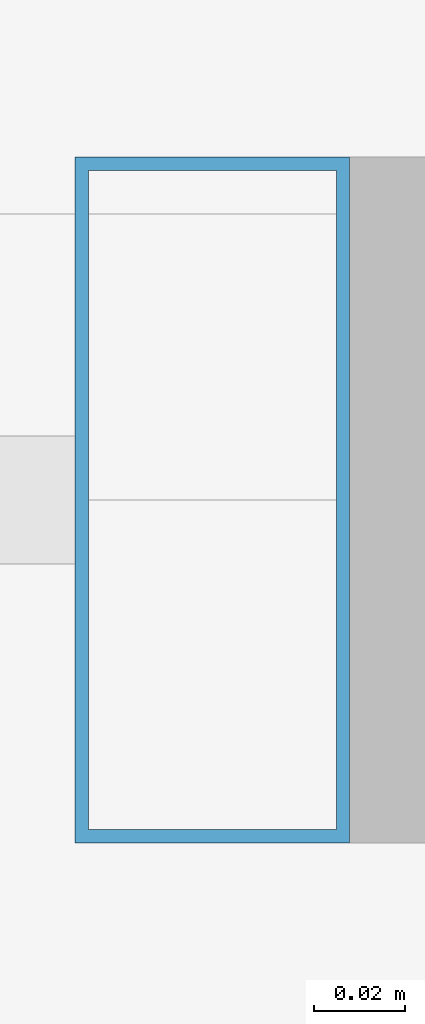
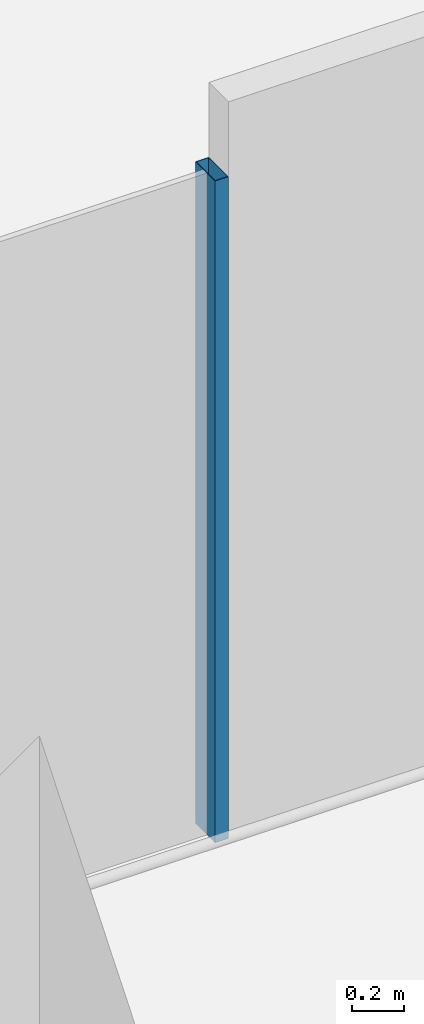
# One storey, part 7 of 54: 1 member, 1 element without a shape of its own.
"""IFC4 building model written with IfcOpenShell, lengths in metres."""

from ifc_helpers import new_model, si_unit, direction, frame, origin, origin_2d, place, context, subcontext, project, spatial, hollow_rectangle, extrude, material, material_profile, profile_set, type_object, element, aggregate, save


model = new_model("IFC4")

# Units and contexts
model_context = context("Model", 3, precision=1e-05, world=origin(), true_north=direction((0.0, 1.0)))
body_context = subcontext(model_context, "Body", "Model", "MODEL_VIEW")
ifc_project = project(units=[si_unit("LENGTHUNIT", "METRE"), si_unit("AREAUNIT", "SQUARE_METRE"), si_unit("VOLUMEUNIT", "CUBIC_METRE"), si_unit("PLANEANGLEUNIT", "RADIAN"), si_unit("MASSUNIT", "GRAM", prefix="KILO")], contexts=[model_context])

# Site, building, storey
site_placement = place(None, origin())
site = spatial("IfcSite", under=ifc_project, at=site_placement, CompositionType="ELEMENT")
building_placement = place(site_placement, origin())
building = spatial("IfcBuilding", under=site, at=building_placement, Name="Altepetl Exchange Towers", CompositionType="ELEMENT")
storey_placement = place(building_placement, frame((0.0, 0.0, 58.199951171875)))
storey = spatial("IfcBuildingStorey", under=building, at=storey_placement, Name="L13", CompositionType="ELEMENT", Elevation=58.199951171875)

# Curtain wall, member
ifc_material_1 = material(Name="Aluminium 6063-T6 glazing", Category="aluminium")
curtain_wall_type = type_object("IfcCurtainWallType", Name="Loggia glazing system", PredefinedType="NOTDEFINED", material=ifc_material_1)
curtain_wall_placement = place(storey_placement, origin())
curtain_wall = element("IfcCurtainWall", 1, at=curtain_wall_placement, inside=storey, type_object=curtain_wall_type, Name="CW1 run", PredefinedType="NOTDEFINED")
ifc_material_2 = material(Name="Aluminium 6063-T6", Category="aluminium")
ifc_material_profile = material_profile(ifc_material_2, hollow_rectangle(XDim=0.06005859375, YDim=0.14990234375, WallThickness=0.0029296875, at=origin_2d()), Name="Mullion 60x150 aluminium")
ifc_profile_set = profile_set([ifc_material_profile], Name="Aluminium 6063-T6")
member_type = type_object("IfcMemberType", Name="Mullion 60x150 aluminium", PredefinedType="MULLION", material=ifc_profile_set)
member_placement = place(storey_placement, frame((47.152099609375, 29.0, 0.0)))
member = element("IfcMember", 2, at=member_placement, type_object=member_type, Name="MU1 mullion", PredefinedType="MULLION", context=body_context, shape_type="SweptSolid", body=[
    extrude(hollow_rectangle(XDim=0.06005859375, YDim=0.14990234375, WallThickness=0.0029296875, at=origin_2d()), origin(), (0.0, 0.0, 1.0), 3.10009765625),
])
aggregate(curtain_wall, [member])

save(model, "model.ifc")
